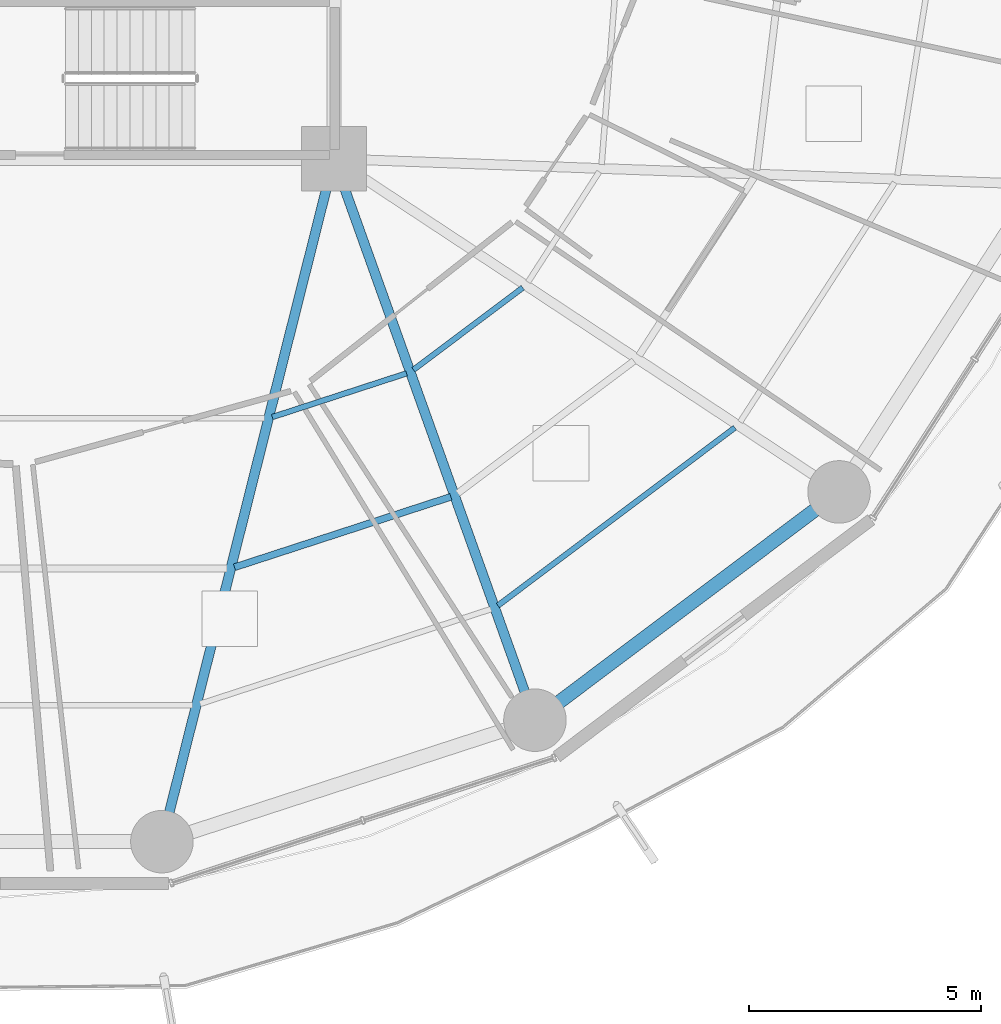
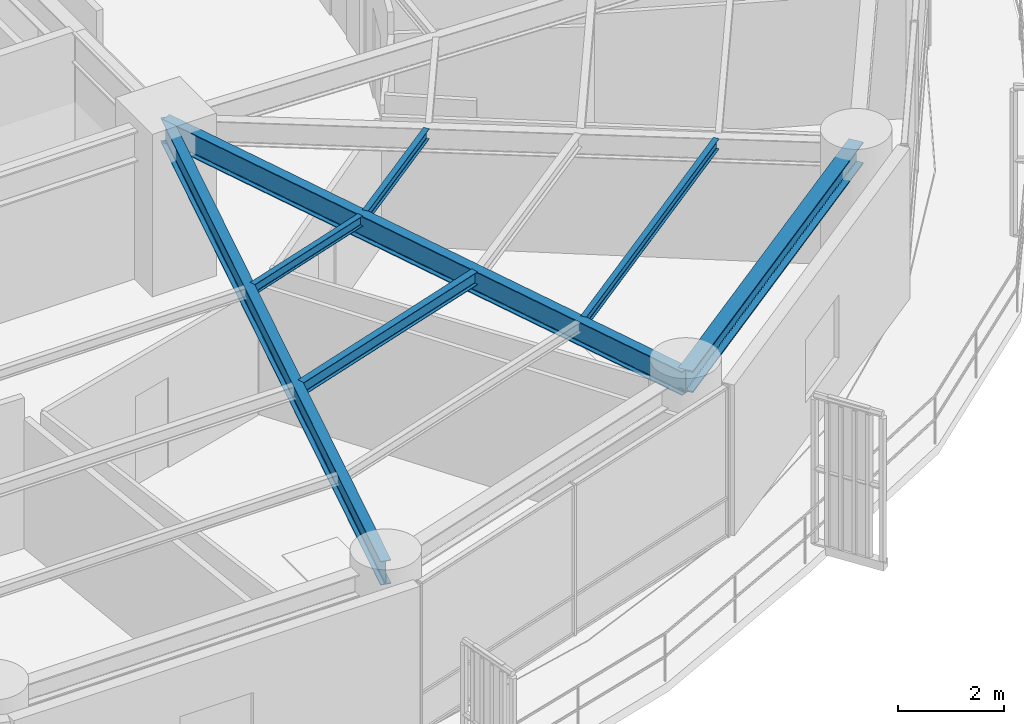
# One storey, part 9 of 34: 7 beams.
"""IFC4 building model written with IfcOpenShell, lengths in metres."""

from ifc_helpers import new_model, si_unit, direction, frame, origin, origin_2d, place, context, subcontext, project, spatial, i_section, extrude, material, material_profile, profile_set, type_object, element, save


model = new_model("IFC4")

# Units and contexts
model_context = context("Model", 3, precision=1e-05, world=origin(), true_north=direction((0.0, 1.0)))
body_context = subcontext(model_context, "Body", "Model", "MODEL_VIEW")
ifc_project = project(units=[si_unit("LENGTHUNIT", "METRE"), si_unit("AREAUNIT", "SQUARE_METRE"), si_unit("VOLUMEUNIT", "CUBIC_METRE"), si_unit("PLANEANGLEUNIT", "RADIAN"), si_unit("MASSUNIT", "GRAM", prefix="KILO")], contexts=[model_context])

# Site, building, storey
site_placement = place(None, origin())
site = spatial("IfcSite", under=ifc_project, at=site_placement, CompositionType="ELEMENT")
building_placement = place(site_placement, origin())
building = spatial("IfcBuilding", under=site, at=building_placement, Name="Kelanora Arch Commons", CompositionType="ELEMENT")
storey_placement = place(building_placement, frame((0.0, 0.0, 76.35009765625)))
storey = spatial("IfcBuildingStorey", under=building, at=storey_placement, Name="L19", CompositionType="ELEMENT", Elevation=76.35009765625)

# Beams
ifc_material = material(Name="Steel S355", Category="steel")
ifc_material_profile_1 = material_profile(ifc_material, i_section(OverallWidth=0.14990234375, OverallDepth=0.300048828125, WebThickness=0.007080078125, FlangeThickness=0.0107421875, FilletRadius=0.014892578125, at=origin_2d()), Name="IPE300")
ifc_profile_set_1 = profile_set([ifc_material_profile_1], Name="Steel S355")
beam_type_1 = type_object("IfcBeamType", Name="BM-JST-01", PredefinedType="JOIST", material=ifc_profile_set_1)
beam_1_placement = place(storey_placement, frame((79.852294921875, 42.1796875, 3.33984375), z_axis=(0.950857140254, 0.309629938521, 0.0), x_axis=(-0.309629938521, 0.950857140254, 0.0)))
element("IfcBeam", 1, at=beam_1_placement, inside=storey, type_object=beam_type_1, Name="Secondary Chord Joist BJB-28 L19", PredefinedType="JOIST", context=body_context, shape_type="SweptSolid", body=[
    extrude(i_section(OverallWidth=0.14990234375, OverallDepth=0.300048828125, WebThickness=0.007080078125, FlangeThickness=0.0107421875, FilletRadius=0.014892578125, at=origin_2d()), origin(), (0.0, 0.0, 1.0), 4.912353515625),
])
ifc_material_profile_2 = material_profile(ifc_material, i_section(OverallWidth=0.1201171875, OverallDepth=0.239990234375, WebThickness=0.006103515625, FlangeThickness=0.009765625, FilletRadius=0.014892578125, at=origin_2d()), Name="IPE240")
ifc_profile_set_2 = profile_set([ifc_material_profile_2], Name="Steel S355")
beam_type_2 = type_object("IfcBeamType", Name="BM-JST-02", PredefinedType="JOIST", material=ifc_profile_set_2)
beam_2_placement = place(storey_placement, frame((80.66943359375, 45.42333984375, 3.369873046875), z_axis=(0.950846758946, 0.309661817151, 0.0), x_axis=(-0.309661817151, 0.950846758946, 0.0)))
element("IfcBeam", 2, at=beam_2_placement, inside=storey, type_object=beam_type_2, Name="Secondary Chord Joist BJA-28 L19", PredefinedType="JOIST", context=body_context, shape_type="SweptSolid", body=[
    extrude(i_section(OverallWidth=0.1201171875, OverallDepth=0.239990234375, WebThickness=0.006103515625, FlangeThickness=0.009765625, FilletRadius=0.014892578125, at=origin_2d()), origin(), (0.0, 0.0, 1.0), 3.048828125),
])
beam_3_placement = place(storey_placement, frame((83.71728515625, 46.444580078125, 3.369873046875), z_axis=(0.799692034361, 0.600410401458, 0.0), x_axis=(-0.600410401458, 0.799692034361, 0.0)))
element("IfcBeam", 3, at=beam_3_placement, inside=storey, type_object=beam_type_2, Name="Secondary Chord Joist BJA-30 L19", PredefinedType="JOIST", context=body_context, shape_type="SweptSolid", body=[
    extrude(i_section(OverallWidth=0.1201171875, OverallDepth=0.239990234375, WebThickness=0.006103515625, FlangeThickness=0.009765625, FilletRadius=0.014892578125, at=origin_2d()), origin(), (0.0, 0.0, 1.0), 2.949951171875),
])
beam_4_placement = place(storey_placement, frame((85.5400390625, 41.353515625, 3.369873046875), z_axis=(0.799734335646, 0.600354055861, 0.0), x_axis=(-0.600354055861, 0.799734335646, 0.0)))
element("IfcBeam", 4, at=beam_4_placement, inside=storey, type_object=beam_type_2, Name="Secondary Chord Joist BJC-30 L19", PredefinedType="JOIST", context=body_context, shape_type="SweptSolid", body=[
    extrude(i_section(OverallWidth=0.1201171875, OverallDepth=0.239990234375, WebThickness=0.006103515625, FlangeThickness=0.009765625, FilletRadius=0.014892578125, at=origin_2d()), origin(), (0.0, 0.0, 1.0), 6.39794921875),
])
ifc_material_profile_3 = material_profile(ifc_material, i_section(OverallWidth=0.2099609375, OverallDepth=0.550048828125, WebThickness=0.010986328125, FlangeThickness=0.01708984375, FilletRadius=0.02392578125, at=origin_2d()), Name="IPE550")
ifc_profile_set_3 = profile_set([ifc_material_profile_3], Name="Steel S355")
beam_type_3 = type_object("IfcBeamType", Name="BM-RAD-Z2", PredefinedType="BEAM", material=ifc_profile_set_3)
beam_5_placement = place(storey_placement, frame((82.0, 51.0, 3.21484375), z_axis=(-0.244280647475, -0.969704576286, 0.0), x_axis=(0.969704576286, -0.244280647475, 0.0)))
element("IfcBeam", 5, at=beam_5_placement, inside=storey, type_object=beam_type_3, Name="Radial Floor Girder BR-28 L19", PredefinedType="BEAM", context=body_context, shape_type="SweptSolid", body=[
    extrude(i_section(OverallWidth=0.2099609375, OverallDepth=0.550048828125, WebThickness=0.010986328125, FlangeThickness=0.01708984375, FilletRadius=0.02392578125, at=origin_2d()), origin(), (0.0, 0.0, 1.0), 15.205322265625),
])
beam_6_placement = place(storey_placement, frame((82.0, 51.0, 3.21484375), z_axis=(0.337084640008, -0.941474346687, 0.0), x_axis=(0.941474346687, 0.337084640008, 0.0)))
element("IfcBeam", 6, at=beam_6_placement, inside=storey, type_object=beam_type_3, Name="Radial Floor Girder BR-30 L19", PredefinedType="BEAM", context=body_context, shape_type="SweptSolid", body=[
    extrude(i_section(OverallWidth=0.2099609375, OverallDepth=0.550048828125, WebThickness=0.010986328125, FlangeThickness=0.01708984375, FilletRadius=0.02392578125, at=origin_2d()), origin(), (0.0, 0.0, 1.0), 12.875244140625),
])
ifc_material_profile_4 = material_profile(ifc_material, i_section(OverallWidth=0.300048828125, OverallDepth=0.5, WebThickness=0.014404296875, FlangeThickness=0.028076171875, FilletRadius=0.027099609375, at=origin_2d()), Name="HEB500")
ifc_profile_set_4 = profile_set([ifc_material_profile_4], Name="Steel S355")
beam_type_4 = type_object("IfcBeamType", Name="BM-SPN-Z2", PredefinedType="SPANDREL", material=ifc_profile_set_4)
beam_7_placement = place(storey_placement, frame((86.340087890625, 38.878173828125, 3.239990234375), z_axis=(0.799735861602, 0.600352023123, 0.0), x_axis=(-0.600352023123, 0.799735861602, 0.0)))
element("IfcBeam", 7, at=beam_7_placement, inside=storey, type_object=beam_type_4, Name="Perimeter Spandrel Beam BS-30 L19", PredefinedType="SPANDREL", context=body_context, shape_type="SweptSolid", body=[
    extrude(i_section(OverallWidth=0.300048828125, OverallDepth=0.5, WebThickness=0.014404296875, FlangeThickness=0.028076171875, FilletRadius=0.027099609375, at=origin_2d()), origin(), (0.0, 0.0, 1.0), 8.210205078125),
])

save(model, "model.ifc")
